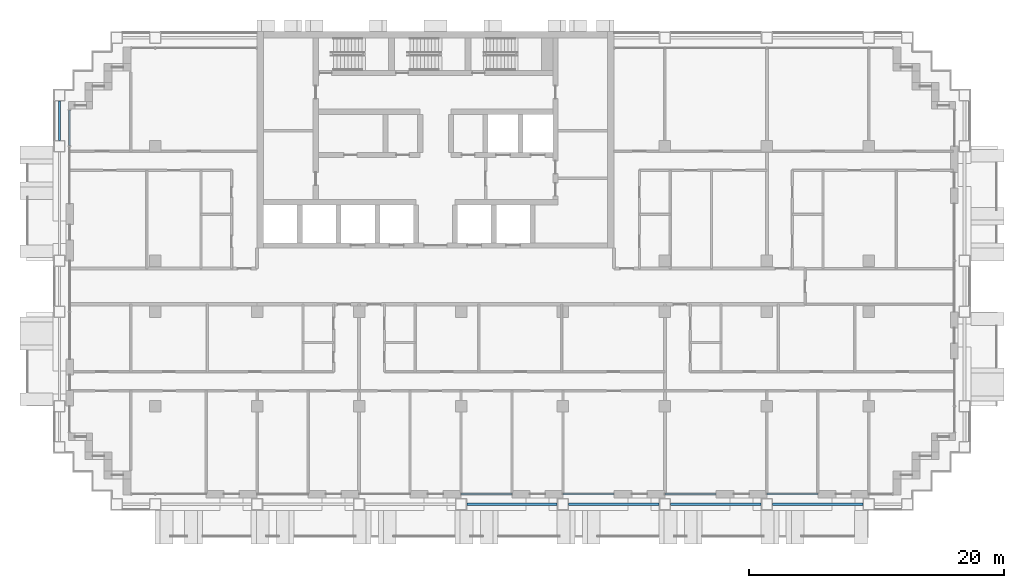
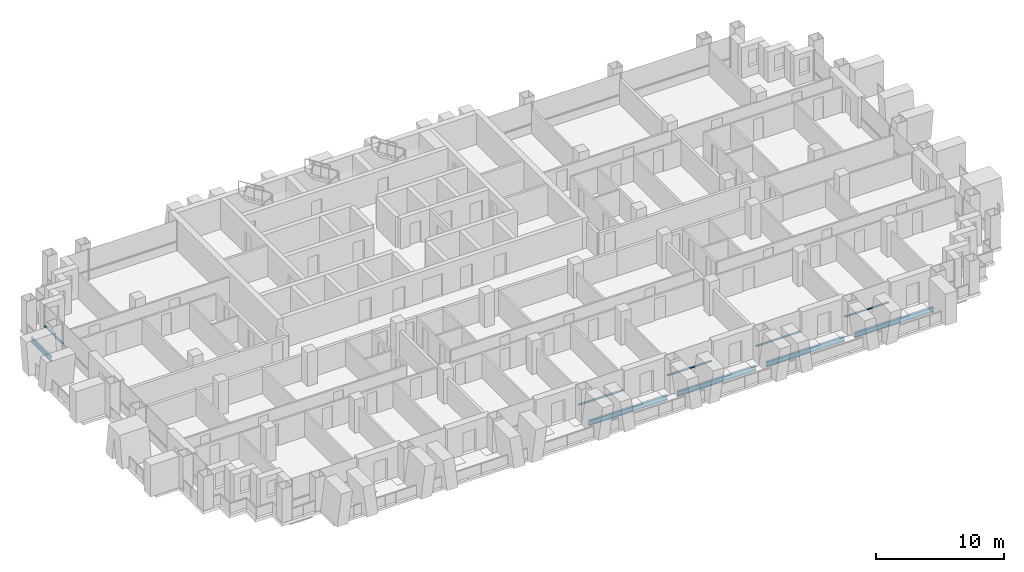
# One storey, part 3 of 19: 5 beams, 5 members, 5 elements without a shape of their own.
"""IFC4 building model written with IfcOpenShell, lengths in metres."""

from ifc_helpers import new_model, si_unit, direction, frame, origin, origin_2d, place, context, subcontext, project, spatial, rectangle, i_section, extrude, material, material_profile, profile_set, type_object, element, aggregate, save


model = new_model("IFC4")

# Units and contexts
model_context = context("Model", 3, precision=1e-05, world=origin(), true_north=direction((0.0, 1.0)))
body_context = subcontext(model_context, "Body", "Model", "MODEL_VIEW")
ifc_project = project(units=[si_unit("LENGTHUNIT", "METRE"), si_unit("AREAUNIT", "SQUARE_METRE"), si_unit("VOLUMEUNIT", "CUBIC_METRE"), si_unit("PLANEANGLEUNIT", "RADIAN"), si_unit("MASSUNIT", "GRAM", prefix="KILO")], contexts=[model_context])

# Site, building, storey
site_placement = place(None, origin())
site = spatial("IfcSite", under=ifc_project, at=site_placement, CompositionType="ELEMENT")
building_placement = place(site_placement, origin())
building = spatial("IfcBuilding", under=site, at=building_placement, Name="Vidyagriha Tower", CompositionType="ELEMENT")
storey_placement = place(building_placement, frame((0.0, 0.0, 99.89990234375)))
storey = spatial("IfcBuildingStorey", under=building, at=storey_placement, Name="L26", CompositionType="ELEMENT", Elevation=99.89990234375)

# Beams
ifc_material_1 = material(Name="Steel ASTM A992 Grade 50", Category="steel")
ifc_material_profile_1 = material_profile(ifc_material_1, i_section(OverallWidth=0.19189453125, OverallDepth=0.46240234375, WebThickness=0.010498046875, FlangeThickness=0.017578125, at=origin_2d()), Name="W18X60")
ifc_profile_set_1 = profile_set([ifc_material_profile_1], Name="Steel ASTM A992 Grade 50")
beam_type = type_object("IfcBeamType", Name="Edge beam W18X60", PredefinedType="SPANDREL", material=ifc_profile_set_1)
for number, where, z_axis, x_axis, name in (
    (1, (2.449951171875, -17.10009765625, -0.510986328125), (1.0, 0.0, 0.0), (0.0, 1.0, 0.0), "st-beam-L26-S05"),
    (2, (10.449951171875, -17.10009765625, -0.510986328125), (1.0, 0.0, 0.0), (0.0, 1.0, 0.0), "st-beam-L26-S06"),
    (3, (18.449951171875, -17.10009765625, -0.510986328125), (1.0, 0.0, 0.0), (0.0, 1.0, 0.0), "st-beam-L26-S07"),
    (4, (26.449951171875, -17.10009765625, -0.510986328125), (1.0, 0.0, 0.0), (0.0, 1.0, 0.0), "st-beam-L26-S08"),
):
    element("IfcBeam", number, at=place(storey_placement, frame(where, z_axis=z_axis, x_axis=x_axis)), inside=storey, type_object=beam_type, Name=name, PredefinedType="SPANDREL", context=body_context, shape_type="SweptSolid", body=[
        extrude(i_section(OverallWidth=0.19189453125, OverallDepth=0.46240234375, WebThickness=0.010498046875, FlangeThickness=0.017578125, at=origin_2d()), origin(), (0.0, 0.0, 1.0), 7.10009765625),
    ])
beam_placement = place(storey_placement, frame((-29.5, 11.449951171875, -0.510986328125), z_axis=(0.0, 1.0, 0.0), x_axis=(-1.0, 0.0, 0.0)))
element("IfcBeam", 5, at=beam_placement, inside=storey, type_object=beam_type, Name="st-beam-L26-W14", PredefinedType="SPANDREL", context=body_context, shape_type="SweptSolid", body=[
    extrude(i_section(OverallWidth=0.19189453125, OverallDepth=0.46240234375, WebThickness=0.010498046875, FlangeThickness=0.017578125, at=origin_2d()), origin(), (0.0, 0.0, 1.0), 3.10009765625),
])

# Curtain wall, member
ifc_material_2 = material(Name="Aluminium and glass curtain wall", Category="aluminium")
curtain_wall_type = type_object("IfcCurtainWallType", Name="Dwelling skin unitised curtain wall", PredefinedType="USERDEFINED", material=ifc_material_2)
curtain_wall_1_placement = place(storey_placement, origin())
curtain_wall_1 = element("IfcCurtainWall", 6, at=curtain_wall_1_placement, inside=storey, type_object=curtain_wall_type, Name="CW1 dwelling skin", ObjectType="UNITISED", PredefinedType="USERDEFINED")
ifc_material_3 = material(Name="Aluminium black anodised", Category="aluminium")
ifc_material_profile_2 = material_profile(ifc_material_3, rectangle(XDim=0.159912109375, YDim=0.10009765625, at=origin_2d()), Name="Transom 100x160 black aluminium")
ifc_profile_set_2 = profile_set([ifc_material_profile_2], Name="Aluminium black anodised")
member_type = type_object("IfcMemberType", Name="Transom 100x160 black aluminium", PredefinedType="USERDEFINED", material=ifc_profile_set_2)
member_1_placement = place(storey_placement, frame((-28.699951171875, 13.830078125, 0.900146484375), z_axis=(0.0, -1.0, 0.0), x_axis=(1.0, 0.0, 0.0)))
member_1 = element("IfcMember", 7, at=member_1_placement, type_object=member_type, Name="CW1 transom 1.1", ObjectType="TRANSOM", PredefinedType="USERDEFINED", context=body_context, shape_type="SweptSolid", body=[
    extrude(rectangle(XDim=0.159912109375, YDim=0.10009765625, at=origin_2d()), origin(), (0.0, 0.0, 1.0), 2.795166015625),
])
aggregate(curtain_wall_1, [member_1])

curtain_wall_2_placement = place(storey_placement, origin())
curtain_wall_2 = element("IfcCurtainWall", 8, at=curtain_wall_2_placement, inside=storey, type_object=curtain_wall_type, Name="CW1 dwelling skin", ObjectType="UNITISED", PredefinedType="USERDEFINED")
member_2_placement = place(storey_placement, frame((2.0, -16.300048828125, 0.900146484375), z_axis=(1.0, 0.0, 0.0), x_axis=(0.0, 1.0, 0.0)))
member_2 = element("IfcMember", 9, at=member_2_placement, type_object=member_type, Name="CW1 transom 1.1", ObjectType="TRANSOM", PredefinedType="USERDEFINED", context=body_context, shape_type="SweptSolid", body=[
    extrude(rectangle(XDim=0.159912109375, YDim=0.10009765625, at=origin_2d()), origin(), (0.0, 0.0, 1.0), 4.0),
])
aggregate(curtain_wall_2, [member_2])

curtain_wall_3_placement = place(storey_placement, origin())
curtain_wall_3 = element("IfcCurtainWall", 10, at=curtain_wall_3_placement, inside=storey, type_object=curtain_wall_type, Name="CW1 dwelling skin", ObjectType="UNITISED", PredefinedType="USERDEFINED")
member_3_placement = place(storey_placement, frame((10.0, -16.300048828125, 0.900146484375), z_axis=(1.0, 0.0, 0.0), x_axis=(0.0, 1.0, 0.0)))
member_3 = element("IfcMember", 11, at=member_3_placement, type_object=member_type, Name="CW1 transom 1.1", ObjectType="TRANSOM", PredefinedType="USERDEFINED", context=body_context, shape_type="SweptSolid", body=[
    extrude(rectangle(XDim=0.159912109375, YDim=0.10009765625, at=origin_2d()), origin(), (0.0, 0.0, 1.0), 4.0),
])
aggregate(curtain_wall_3, [member_3])

curtain_wall_4_placement = place(storey_placement, origin())
curtain_wall_4 = element("IfcCurtainWall", 12, at=curtain_wall_4_placement, inside=storey, type_object=curtain_wall_type, Name="CW1 dwelling skin", ObjectType="UNITISED", PredefinedType="USERDEFINED")
member_4_placement = place(storey_placement, frame((18.0, -16.300048828125, 0.900146484375), z_axis=(1.0, 0.0, 0.0), x_axis=(0.0, 1.0, 0.0)))
member_4 = element("IfcMember", 13, at=member_4_placement, type_object=member_type, Name="CW1 transom 1.1", ObjectType="TRANSOM", PredefinedType="USERDEFINED", context=body_context, shape_type="SweptSolid", body=[
    extrude(rectangle(XDim=0.159912109375, YDim=0.10009765625, at=origin_2d()), origin(), (0.0, 0.0, 1.0), 4.0),
])
aggregate(curtain_wall_4, [member_4])

curtain_wall_5_placement = place(storey_placement, origin())
curtain_wall_5 = element("IfcCurtainWall", 14, at=curtain_wall_5_placement, inside=storey, type_object=curtain_wall_type, Name="CW1 dwelling skin", ObjectType="UNITISED", PredefinedType="USERDEFINED")
member_5_placement = place(storey_placement, frame((26.0, -16.300048828125, 0.900146484375), z_axis=(1.0, 0.0, 0.0), x_axis=(0.0, 1.0, 0.0)))
member_5 = element("IfcMember", 15, at=member_5_placement, type_object=member_type, Name="CW1 transom 1.1", ObjectType="TRANSOM", PredefinedType="USERDEFINED", context=body_context, shape_type="SweptSolid", body=[
    extrude(rectangle(XDim=0.159912109375, YDim=0.10009765625, at=origin_2d()), origin(), (0.0, 0.0, 1.0), 4.0),
])
aggregate(curtain_wall_5, [member_5])

save(model, "model.ifc")
